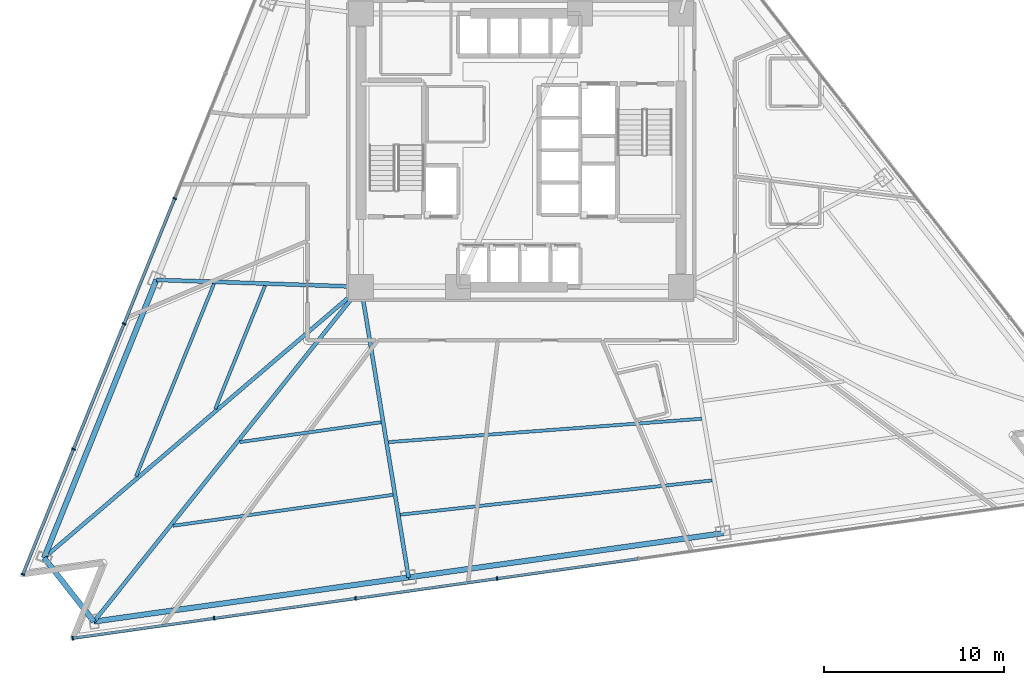
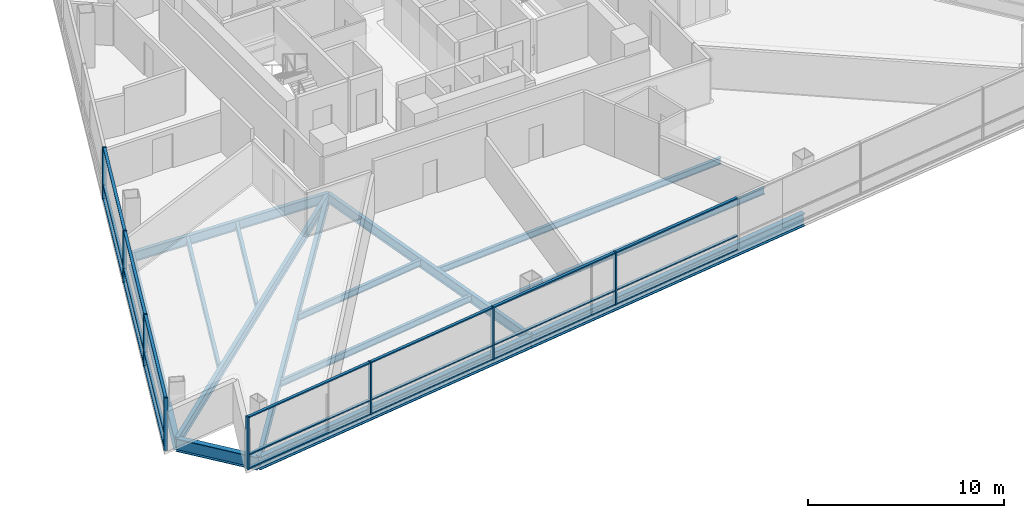
# One storey, part 2 of 15: 29 members, 14 beams, 2 elements without a shape of their own.
"""IFC4 building model written with IfcOpenShell, lengths in metres."""

from ifc_helpers import new_model, si_unit, direction, frame, origin, origin_2d, place, context, subcontext, project, spatial, rectangle, i_section, extrude, material, layer, layer_set, material_profile, profile_set, type_object, element, aggregate, save


model = new_model("IFC4")

# Units and contexts
model_context = context("Model", 3, precision=1e-05, world=origin(), true_north=direction((0.0, 1.0)))
body_context = subcontext(model_context, "Body", "Model", "MODEL_VIEW")
ifc_project = project(units=[si_unit("LENGTHUNIT", "METRE"), si_unit("AREAUNIT", "SQUARE_METRE"), si_unit("VOLUMEUNIT", "CUBIC_METRE"), si_unit("PLANEANGLEUNIT", "RADIAN"), si_unit("MASSUNIT", "GRAM", prefix="KILO")], contexts=[model_context])

# Site, building, storey
site_placement = place(None, origin())
site = spatial("IfcSite", under=ifc_project, at=site_placement, CompositionType="ELEMENT")
building_placement = place(site_placement, origin())
building = spatial("IfcBuilding", under=site, at=building_placement, Name="Tharavind Bronze Gate", CompositionType="ELEMENT")
storey_placement = place(building_placement, frame((0.0, 0.0, 74.199951171875)))
storey = spatial("IfcBuildingStorey", under=building, at=storey_placement, Name="L18", CompositionType="ELEMENT", Elevation=74.199951171875)

# Curtain wall, members
ifc_material_1 = material(Name="Anodised Bronze Aluminium", Category="aluminium")
ifc_layer = layer(ifc_material_1, 0.219970703125)
ifc_layer_set = layer_set([ifc_layer], Name="Anodised Bronze Aluminium")
curtain_wall_type = type_object("IfcCurtainWallType", Name="UNITISED CURTAIN WALL HOTEL", PredefinedType="USERDEFINED", material=ifc_layer_set)
curtain_wall_1_placement = place(storey_placement, origin())
curtain_wall_1 = element("IfcCurtainWall", 1, at=curtain_wall_1_placement, inside=storey, type_object=curtain_wall_type, Name="L18 unitised curtain wall hotel CW-L18-S1", ObjectType="UNITISED CURTAIN WALL", PredefinedType="USERDEFINED")
member_type_1 = type_object("IfcMemberType", Name="CURTAIN WALL MULLION 80X220", PredefinedType="MULLION", material=ifc_material_1)
member_1_placement = place(storey_placement, frame((-19.261474609375, -2.688232421875, 0.0), z_axis=(0.0, 0.0, 1.0), x_axis=(-0.374606593416, -0.927183854567, 0.0)))
member_1 = element("IfcMember", 2, at=member_1_placement, type_object=member_type_1, Name="CW-L18-S1 mullion 5", PredefinedType="MULLION", context=body_context, shape_type="SweptSolid", body=[
    extrude(rectangle(XDim=0.080078125, YDim=0.219970703125, at=origin_2d()), origin(), (0.0, 0.0, 1.0), 3.27490234375),
])
member_2_placement = place(storey_placement, frame((-22.07666015625, -9.65625, 0.0), z_axis=(0.0, 0.0, 1.0), x_axis=(-0.374606593416, -0.927183854567, 0.0)))
member_2 = element("IfcMember", 3, at=member_2_placement, type_object=member_type_1, Name="CW-L18-S1 mullion 6", PredefinedType="MULLION", context=body_context, shape_type="SweptSolid", body=[
    extrude(rectangle(XDim=0.080078125, YDim=0.219970703125, at=origin_2d()), origin(), (0.0, 0.0, 1.0), 3.27490234375),
])
member_3_placement = place(storey_placement, frame((-24.891845703125, -16.6240234375, 0.0), z_axis=(0.0, 0.0, 1.0), x_axis=(-0.374606593416, -0.927183854567, 0.0)))
member_3 = element("IfcMember", 4, at=member_3_placement, type_object=member_type_1, Name="CW-L18-S1 mullion 7", PredefinedType="MULLION", context=body_context, shape_type="SweptSolid", body=[
    extrude(rectangle(XDim=0.080078125, YDim=0.219970703125, at=origin_2d()), origin(), (0.0, 0.0, 1.0), 3.27490234375),
])
member_4_placement = place(storey_placement, frame((-27.70703125, -23.591796875, 0.0), z_axis=(0.0, 0.0, 1.0), x_axis=(-0.374606593416, -0.927183854567, 0.0)))
member_4 = element("IfcMember", 5, at=member_4_placement, type_object=member_type_1, Name="CW-L18-S1 mullion 8", PredefinedType="MULLION", context=body_context, shape_type="SweptSolid", body=[
    extrude(rectangle(XDim=0.080078125, YDim=0.219970703125, at=origin_2d()), origin(), (0.0, 0.0, 1.0), 3.27490234375),
])

curtain_wall_2_placement = place(storey_placement, origin())
curtain_wall_2 = element("IfcCurtainWall", 6, at=curtain_wall_2_placement, inside=storey, type_object=curtain_wall_type, Name="L18 unitised curtain wall hotel CW-L18-S2", ObjectType="UNITISED CURTAIN WALL", PredefinedType="USERDEFINED")
member_5_placement = place(storey_placement, frame((-24.9365234375, -27.137939453125, 0.0), z_axis=(0.0, 0.0, 1.0), x_axis=(0.990268068742, 0.13917310096, 0.0)))
member_5 = element("IfcMember", 7, at=member_5_placement, type_object=member_type_1, Name="CW-L18-S2 mullion 1", PredefinedType="MULLION", context=body_context, shape_type="SweptSolid", body=[
    extrude(rectangle(XDim=0.080078125, YDim=0.219970703125, at=origin_2d()), origin(), (0.0, 0.0, 1.0), 3.27490234375),
])
member_6_placement = place(storey_placement, frame((-17.0703125, -26.032470703125, 0.0), z_axis=(0.0, 0.0, 1.0), x_axis=(0.990268068742, 0.13917310096, 0.0)))
member_6 = element("IfcMember", 8, at=member_6_placement, type_object=member_type_1, Name="CW-L18-S2 mullion 2", PredefinedType="MULLION", context=body_context, shape_type="SweptSolid", body=[
    extrude(rectangle(XDim=0.080078125, YDim=0.219970703125, at=origin_2d()), origin(), (0.0, 0.0, 1.0), 3.27490234375),
])
member_7_placement = place(storey_placement, frame((-9.203857421875, -24.9267578125, 0.0), z_axis=(0.0, 0.0, 1.0), x_axis=(0.990268068742, 0.13917310096, 0.0)))
member_7 = element("IfcMember", 9, at=member_7_placement, type_object=member_type_1, Name="CW-L18-S2 mullion 3", PredefinedType="MULLION", context=body_context, shape_type="SweptSolid", body=[
    extrude(rectangle(XDim=0.080078125, YDim=0.219970703125, at=origin_2d()), origin(), (0.0, 0.0, 1.0), 3.27490234375),
])
member_8_placement = place(storey_placement, frame((-1.337646484375, -23.8212890625, 0.0), z_axis=(0.0, 0.0, 1.0), x_axis=(0.990268068742, 0.13917310096, 0.0)))
member_8 = element("IfcMember", 10, at=member_8_placement, type_object=member_type_1, Name="CW-L18-S2 mullion 4", PredefinedType="MULLION", context=body_context, shape_type="SweptSolid", body=[
    extrude(rectangle(XDim=0.080078125, YDim=0.219970703125, at=origin_2d()), origin(), (0.0, 0.0, 1.0), 3.27490234375),
])

# Member
member_type_2 = type_object("IfcMemberType", Name="CURTAIN WALL TRANSOM 80X160", PredefinedType="USERDEFINED", material=ifc_material_1)
member_9_placement = place(storey_placement, frame((-20.669189453125, -6.17236328125, 0.0), z_axis=(0.0, 0.0, 1.0), x_axis=(-0.374606593416, -0.927183854567, 0.0)))
member_9 = element("IfcMember", 11, at=member_9_placement, type_object=member_type_2, Name="CW-L18-S1 transom TB5", ObjectType="TRANSOM", PredefinedType="USERDEFINED", context=body_context, shape_type="SweptSolid", body=[
    extrude(rectangle(XDim=7.447021484375, YDim=0.159912109375, at=origin_2d()), origin(), (0.0, 0.0, 1.0), 0.080078125),
])

member_10_placement = place(storey_placement, frame((-20.669189453125, -6.17236328125, 0.860107421875), z_axis=(0.0, 0.0, 1.0), x_axis=(-0.374606593416, -0.927183854567, 0.0)))
member_10 = element("IfcMember", 12, at=member_10_placement, type_object=member_type_2, Name="CW-L18-S1 transom TS5", ObjectType="TRANSOM", PredefinedType="USERDEFINED", context=body_context, shape_type="SweptSolid", body=[
    extrude(rectangle(XDim=7.447021484375, YDim=0.159912109375, at=origin_2d()), origin(), (0.0, 0.0, 1.0), 0.080078125),
])

member_11_placement = place(storey_placement, frame((-20.669189453125, -6.17236328125, 3.195068359375), z_axis=(0.0, 0.0, 1.0), x_axis=(-0.374606593416, -0.927183854567, 0.0)))
member_11 = element("IfcMember", 13, at=member_11_placement, type_object=member_type_2, Name="CW-L18-S1 transom TT5", ObjectType="TRANSOM", PredefinedType="USERDEFINED", context=body_context, shape_type="SweptSolid", body=[
    extrude(rectangle(XDim=7.447021484375, YDim=0.159912109375, at=origin_2d()), origin(), (0.0, 0.0, 1.0), 0.080078125),
])

member_12_placement = place(storey_placement, frame((-23.484375, -13.14013671875, 0.0), z_axis=(0.0, 0.0, 1.0), x_axis=(-0.374606593416, -0.927183854567, 0.0)))
member_12 = element("IfcMember", 14, at=member_12_placement, type_object=member_type_2, Name="CW-L18-S1 transom TB6", ObjectType="TRANSOM", PredefinedType="USERDEFINED", context=body_context, shape_type="SweptSolid", body=[
    extrude(rectangle(XDim=7.447021484375, YDim=0.159912109375, at=origin_2d()), origin(), (0.0, 0.0, 1.0), 0.080078125),
])

member_13_placement = place(storey_placement, frame((-23.484375, -13.14013671875, 0.860107421875), z_axis=(0.0, 0.0, 1.0), x_axis=(-0.374606593416, -0.927183854567, 0.0)))
member_13 = element("IfcMember", 15, at=member_13_placement, type_object=member_type_2, Name="CW-L18-S1 transom TS6", ObjectType="TRANSOM", PredefinedType="USERDEFINED", context=body_context, shape_type="SweptSolid", body=[
    extrude(rectangle(XDim=7.447021484375, YDim=0.159912109375, at=origin_2d()), origin(), (0.0, 0.0, 1.0), 0.080078125),
])

member_14_placement = place(storey_placement, frame((-23.484375, -13.14013671875, 3.195068359375), z_axis=(0.0, 0.0, 1.0), x_axis=(-0.374606593416, -0.927183854567, 0.0)))
member_14 = element("IfcMember", 16, at=member_14_placement, type_object=member_type_2, Name="CW-L18-S1 transom TT6", ObjectType="TRANSOM", PredefinedType="USERDEFINED", context=body_context, shape_type="SweptSolid", body=[
    extrude(rectangle(XDim=7.447021484375, YDim=0.159912109375, at=origin_2d()), origin(), (0.0, 0.0, 1.0), 0.080078125),
])

member_15_placement = place(storey_placement, frame((-26.299560546875, -20.10791015625, 0.0), z_axis=(0.0, 0.0, 1.0), x_axis=(-0.374606593416, -0.927183854567, 0.0)))
member_15 = element("IfcMember", 17, at=member_15_placement, type_object=member_type_2, Name="CW-L18-S1 transom TB7", ObjectType="TRANSOM", PredefinedType="USERDEFINED", context=body_context, shape_type="SweptSolid", body=[
    extrude(rectangle(XDim=7.447021484375, YDim=0.159912109375, at=origin_2d()), origin(), (0.0, 0.0, 1.0), 0.080078125),
])

member_16_placement = place(storey_placement, frame((-26.299560546875, -20.10791015625, 0.860107421875), z_axis=(0.0, 0.0, 1.0), x_axis=(-0.374606593416, -0.927183854567, 0.0)))
member_16 = element("IfcMember", 18, at=member_16_placement, type_object=member_type_2, Name="CW-L18-S1 transom TS7", ObjectType="TRANSOM", PredefinedType="USERDEFINED", context=body_context, shape_type="SweptSolid", body=[
    extrude(rectangle(XDim=7.447021484375, YDim=0.159912109375, at=origin_2d()), origin(), (0.0, 0.0, 1.0), 0.080078125),
])

member_17_placement = place(storey_placement, frame((-26.299560546875, -20.10791015625, 3.195068359375), z_axis=(0.0, 0.0, 1.0), x_axis=(-0.374606593416, -0.927183854567, 0.0)))
member_17 = element("IfcMember", 19, at=member_17_placement, type_object=member_type_2, Name="CW-L18-S1 transom TT7", ObjectType="TRANSOM", PredefinedType="USERDEFINED", context=body_context, shape_type="SweptSolid", body=[
    extrude(rectangle(XDim=7.447021484375, YDim=0.159912109375, at=origin_2d()), origin(), (0.0, 0.0, 1.0), 0.080078125),
])

aggregate(curtain_wall_1, [member_1, member_2, member_3, member_4, member_9, member_10, member_11, member_12, member_13, member_14, member_15, member_16, member_17])

member_18_placement = place(storey_placement, frame((-21.00341796875, -26.585205078125, 0.0), z_axis=(0.0, 0.0, 1.0), x_axis=(0.990268068742, 0.13917310096, 0.0)))
member_18 = element("IfcMember", 20, at=member_18_placement, type_object=member_type_2, Name="CW-L18-S2 transom TB1", ObjectType="TRANSOM", PredefinedType="USERDEFINED", context=body_context, shape_type="SweptSolid", body=[
    extrude(rectangle(XDim=7.87548828125, YDim=0.159912109375, at=origin_2d()), origin(), (0.0, 0.0, 1.0), 0.080078125),
])

member_19_placement = place(storey_placement, frame((-21.00341796875, -26.585205078125, 0.860107421875), z_axis=(0.0, 0.0, 1.0), x_axis=(0.990268068742, 0.13917310096, 0.0)))
member_19 = element("IfcMember", 21, at=member_19_placement, type_object=member_type_2, Name="CW-L18-S2 transom TS1", ObjectType="TRANSOM", PredefinedType="USERDEFINED", context=body_context, shape_type="SweptSolid", body=[
    extrude(rectangle(XDim=7.87548828125, YDim=0.159912109375, at=origin_2d()), origin(), (0.0, 0.0, 1.0), 0.080078125),
])

member_20_placement = place(storey_placement, frame((-21.00341796875, -26.585205078125, 3.195068359375), z_axis=(0.0, 0.0, 1.0), x_axis=(0.990268068742, 0.13917310096, 0.0)))
member_20 = element("IfcMember", 22, at=member_20_placement, type_object=member_type_2, Name="CW-L18-S2 transom TT1", ObjectType="TRANSOM", PredefinedType="USERDEFINED", context=body_context, shape_type="SweptSolid", body=[
    extrude(rectangle(XDim=7.87548828125, YDim=0.159912109375, at=origin_2d()), origin(), (0.0, 0.0, 1.0), 0.080078125),
])

member_21_placement = place(storey_placement, frame((-13.13720703125, -25.4794921875, 0.0), z_axis=(0.0, 0.0, 1.0), x_axis=(0.990268068742, 0.13917310096, 0.0)))
member_21 = element("IfcMember", 23, at=member_21_placement, type_object=member_type_2, Name="CW-L18-S2 transom TB2", ObjectType="TRANSOM", PredefinedType="USERDEFINED", context=body_context, shape_type="SweptSolid", body=[
    extrude(rectangle(XDim=7.87548828125, YDim=0.159912109375, at=origin_2d()), origin(), (0.0, 0.0, 1.0), 0.080078125),
])

member_22_placement = place(storey_placement, frame((-13.13720703125, -25.4794921875, 0.860107421875), z_axis=(0.0, 0.0, 1.0), x_axis=(0.990268068742, 0.13917310096, 0.0)))
member_22 = element("IfcMember", 24, at=member_22_placement, type_object=member_type_2, Name="CW-L18-S2 transom TS2", ObjectType="TRANSOM", PredefinedType="USERDEFINED", context=body_context, shape_type="SweptSolid", body=[
    extrude(rectangle(XDim=7.87548828125, YDim=0.159912109375, at=origin_2d()), origin(), (0.0, 0.0, 1.0), 0.080078125),
])

member_23_placement = place(storey_placement, frame((-13.13720703125, -25.4794921875, 3.195068359375), z_axis=(0.0, 0.0, 1.0), x_axis=(0.990268068742, 0.13917310096, 0.0)))
member_23 = element("IfcMember", 25, at=member_23_placement, type_object=member_type_2, Name="CW-L18-S2 transom TT2", ObjectType="TRANSOM", PredefinedType="USERDEFINED", context=body_context, shape_type="SweptSolid", body=[
    extrude(rectangle(XDim=7.87548828125, YDim=0.159912109375, at=origin_2d()), origin(), (0.0, 0.0, 1.0), 0.080078125),
])

member_24_placement = place(storey_placement, frame((-5.270751953125, -24.3740234375, 0.0), z_axis=(0.0, 0.0, 1.0), x_axis=(0.990268068742, 0.13917310096, 0.0)))
member_24 = element("IfcMember", 26, at=member_24_placement, type_object=member_type_2, Name="CW-L18-S2 transom TB3", ObjectType="TRANSOM", PredefinedType="USERDEFINED", context=body_context, shape_type="SweptSolid", body=[
    extrude(rectangle(XDim=7.87548828125, YDim=0.159912109375, at=origin_2d()), origin(), (0.0, 0.0, 1.0), 0.080078125),
])

member_25_placement = place(storey_placement, frame((-5.270751953125, -24.3740234375, 0.860107421875), z_axis=(0.0, 0.0, 1.0), x_axis=(0.990268068742, 0.13917310096, 0.0)))
member_25 = element("IfcMember", 27, at=member_25_placement, type_object=member_type_2, Name="CW-L18-S2 transom TS3", ObjectType="TRANSOM", PredefinedType="USERDEFINED", context=body_context, shape_type="SweptSolid", body=[
    extrude(rectangle(XDim=7.87548828125, YDim=0.159912109375, at=origin_2d()), origin(), (0.0, 0.0, 1.0), 0.080078125),
])

member_26_placement = place(storey_placement, frame((-5.270751953125, -24.3740234375, 3.195068359375), z_axis=(0.0, 0.0, 1.0), x_axis=(0.990268068742, 0.13917310096, 0.0)))
member_26 = element("IfcMember", 28, at=member_26_placement, type_object=member_type_2, Name="CW-L18-S2 transom TT3", ObjectType="TRANSOM", PredefinedType="USERDEFINED", context=body_context, shape_type="SweptSolid", body=[
    extrude(rectangle(XDim=7.87548828125, YDim=0.159912109375, at=origin_2d()), origin(), (0.0, 0.0, 1.0), 0.080078125),
])

member_27_placement = place(storey_placement, frame((2.595703125, -23.2685546875, 0.0), z_axis=(0.0, 0.0, 1.0), x_axis=(0.990268068742, 0.13917310096, 0.0)))
member_27 = element("IfcMember", 29, at=member_27_placement, type_object=member_type_2, Name="CW-L18-S2 transom TB4", ObjectType="TRANSOM", PredefinedType="USERDEFINED", context=body_context, shape_type="SweptSolid", body=[
    extrude(rectangle(XDim=7.87548828125, YDim=0.159912109375, at=origin_2d()), origin(), (0.0, 0.0, 1.0), 0.080078125),
])

member_28_placement = place(storey_placement, frame((2.595703125, -23.2685546875, 0.860107421875), z_axis=(0.0, 0.0, 1.0), x_axis=(0.990268068742, 0.13917310096, 0.0)))
member_28 = element("IfcMember", 30, at=member_28_placement, type_object=member_type_2, Name="CW-L18-S2 transom TS4", ObjectType="TRANSOM", PredefinedType="USERDEFINED", context=body_context, shape_type="SweptSolid", body=[
    extrude(rectangle(XDim=7.87548828125, YDim=0.159912109375, at=origin_2d()), origin(), (0.0, 0.0, 1.0), 0.080078125),
])

member_29_placement = place(storey_placement, frame((2.595703125, -23.2685546875, 3.195068359375), z_axis=(0.0, 0.0, 1.0), x_axis=(0.990268068742, 0.13917310096, 0.0)))
member_29 = element("IfcMember", 31, at=member_29_placement, type_object=member_type_2, Name="CW-L18-S2 transom TT4", ObjectType="TRANSOM", PredefinedType="USERDEFINED", context=body_context, shape_type="SweptSolid", body=[
    extrude(rectangle(XDim=7.87548828125, YDim=0.159912109375, at=origin_2d()), origin(), (0.0, 0.0, 1.0), 0.080078125),
])

aggregate(curtain_wall_2, [member_5, member_6, member_7, member_8, member_18, member_19, member_20, member_21, member_22, member_23, member_24, member_25, member_26, member_27, member_28, member_29])

# Beams
ifc_material_2 = material(Name="Steel S355", Category="steel")
ifc_material_profile_1 = material_profile(ifc_material_2, i_section(OverallWidth=0.219970703125, OverallDepth=0.60009765625, WebThickness=0.011962890625, FlangeThickness=0.01904296875, at=origin_2d()), Name="IPE600")
ifc_profile_set_1 = profile_set([ifc_material_profile_1], Name="Steel S355")
beam_type_1 = type_object("IfcBeamType", Name="PRIMARY GIRDER IPE600", PredefinedType="USERDEFINED", material=ifc_profile_set_1)
beam_1_placement = place(storey_placement, frame((-20.28076171875, -7.212890625, -0.474853515625), z_axis=(0.999421731514, -0.034002978938, 0.0), x_axis=(0.034002978938, 0.999421731514, 0.0)))
element("IfcBeam", 32, at=beam_1_placement, inside=storey, type_object=beam_type_1, Name="L18 primary girder ipe600 BM-L18-RAD03", ObjectType="GIRDER", PredefinedType="USERDEFINED", context=body_context, shape_type="SweptSolid", body=[
    extrude(i_section(OverallWidth=0.219970703125, OverallDepth=0.60009765625, WebThickness=0.011962890625, FlangeThickness=0.01904296875, at=origin_2d()), origin(), (0.0, 0.0, 1.0), 11.387451171875),
])
beam_2_placement = place(storey_placement, frame((-26.525146484375, -22.66845703125, -0.474853515625), z_axis=(0.760086871137, 0.649821474195, 0.0), x_axis=(-0.649821474195, 0.760086871137, 0.0)))
element("IfcBeam", 33, at=beam_2_placement, inside=storey, type_object=beam_type_1, Name="L18 primary girder ipe600 BM-L18-RAD04", ObjectType="GIRDER", PredefinedType="USERDEFINED", context=body_context, shape_type="SweptSolid", body=[
    extrude(i_section(OverallWidth=0.219970703125, OverallDepth=0.60009765625, WebThickness=0.011962890625, FlangeThickness=0.01904296875, at=origin_2d()), origin(), (0.0, 0.0, 1.0), 23.1884765625),
])
beam_3_placement = place(storey_placement, frame((-23.754638671875, -26.21435546875, -0.474853515625), z_axis=(0.623755703822, 0.781619358735, 0.0), x_axis=(-0.781619358735, 0.623755703822, 0.0)))
element("IfcBeam", 34, at=beam_3_placement, inside=storey, type_object=beam_type_1, Name="L18 primary girder ipe600 BM-L18-RAD05", ObjectType="GIRDER", PredefinedType="USERDEFINED", context=body_context, shape_type="SweptSolid", body=[
    extrude(i_section(OverallWidth=0.219970703125, OverallDepth=0.60009765625, WebThickness=0.011962890625, FlangeThickness=0.01904296875, at=origin_2d()), origin(), (0.0, 0.0, 1.0), 23.81494140625),
])
beam_4_placement = place(storey_placement, frame((-6.25732421875, -23.75537109375, -0.474853515625), z_axis=(-0.161428355107, 0.986884434049, 0.0), x_axis=(-0.986884434049, -0.161428355107, 0.0)))
element("IfcBeam", 35, at=beam_4_placement, inside=storey, type_object=beam_type_1, Name="L18 primary girder ipe600 BM-L18-RAD06", ObjectType="GIRDER", PredefinedType="USERDEFINED", context=body_context, shape_type="SweptSolid", body=[
    extrude(i_section(OverallWidth=0.219970703125, OverallDepth=0.60009765625, WebThickness=0.011962890625, FlangeThickness=0.01904296875, at=origin_2d()), origin(), (0.0, 0.0, 1.0), 16.369873046875),
])
ifc_material_profile_2 = material_profile(ifc_material_2, i_section(OverallWidth=0.300048828125, OverallDepth=0.800048828125, WebThickness=0.017578125, FlangeThickness=0.032958984375, at=origin_2d()), Name="HE800B")
ifc_profile_set_2 = profile_set([ifc_material_profile_2], Name="Steel S355")
beam_type_2 = type_object("IfcBeamType", Name="RING GIRDER HE800B", PredefinedType="USERDEFINED", material=ifc_profile_set_2)
beam_5_placement = place(storey_placement, frame((-20.28076171875, -7.212890625, -0.574951171875), z_axis=(-0.374603014443, -0.927185300557, 0.0), x_axis=(0.927185300557, -0.374603014443, 0.0)))
element("IfcBeam", 36, at=beam_5_placement, inside=storey, type_object=beam_type_2, Name="L18 ring girder he800b BM-L18-PRG03", ObjectType="GIRDER", PredefinedType="USERDEFINED", context=body_context, shape_type="SweptSolid", body=[
    extrude(i_section(OverallWidth=0.300048828125, OverallDepth=0.800048828125, WebThickness=0.017578125, FlangeThickness=0.032958984375, at=origin_2d()), origin(), (0.0, 0.0, 1.0), 16.66943359375),
])
beam_6_placement = place(storey_placement, frame((-26.525146484375, -22.66845703125, -0.574951171875), z_axis=(0.615681943852, -0.787994761413, 0.0), x_axis=(0.787994761413, 0.615681943852, 0.0)))
element("IfcBeam", 37, at=beam_6_placement, inside=storey, type_object=beam_type_2, Name="L18 ring girder he800b BM-L18-PRG04", ObjectType="GIRDER", PredefinedType="USERDEFINED", context=body_context, shape_type="SweptSolid", body=[
    extrude(i_section(OverallWidth=0.300048828125, OverallDepth=0.800048828125, WebThickness=0.017578125, FlangeThickness=0.032958984375, at=origin_2d()), origin(), (0.0, 0.0, 1.0), 4.5),
])
beam_7_placement = place(storey_placement, frame((-23.754638671875, -26.21435546875, -0.574951171875), z_axis=(0.990268870582, 0.13916739545, 0.0), x_axis=(-0.13916739545, 0.990268870582, 0.0)))
element("IfcBeam", 38, at=beam_7_placement, inside=storey, type_object=beam_type_2, Name="L18 ring girder he800b BM-L18-PRG05", ObjectType="GIRDER", PredefinedType="USERDEFINED", context=body_context, shape_type="SweptSolid", body=[
    extrude(i_section(OverallWidth=0.300048828125, OverallDepth=0.800048828125, WebThickness=0.017578125, FlangeThickness=0.032958984375, at=origin_2d()), origin(), (0.0, 0.0, 1.0), 17.669189453125),
])
beam_8_placement = place(storey_placement, frame((-6.25732421875, -23.75537109375, -0.574951171875), z_axis=(0.99026860297, 0.139169299675, 0.0), x_axis=(-0.139169299675, 0.99026860297, 0.0)))
element("IfcBeam", 39, at=beam_8_placement, inside=storey, type_object=beam_type_2, Name="L18 ring girder he800b BM-L18-PRG06", ObjectType="GIRDER", PredefinedType="USERDEFINED", context=body_context, shape_type="SweptSolid", body=[
    extrude(i_section(OverallWidth=0.300048828125, OverallDepth=0.800048828125, WebThickness=0.017578125, FlangeThickness=0.032958984375, at=origin_2d()), origin(), (0.0, 0.0, 1.0), 17.6689453125),
])
ifc_material_profile_3 = material_profile(ifc_material_2, i_section(OverallWidth=0.179931640625, OverallDepth=0.39990234375, WebThickness=0.008544921875, FlangeThickness=0.013427734375, at=origin_2d()), Name="IPE400")
ifc_profile_set_3 = profile_set([ifc_material_profile_3], Name="Steel S355")
beam_type_3 = type_object("IfcBeamType", Name="SECONDARY FLOOR JOIST IPE400", PredefinedType="JOIST", material=ifc_profile_set_3)
beam_9_placement = place(storey_placement, frame((-14.2373046875, -7.5322265625, -0.375), z_axis=(-0.37461330308, -0.927181143658, 0.0), x_axis=(0.927181143658, -0.37461330308, 0.0)))
element("IfcBeam", 40, at=beam_9_placement, inside=storey, type_object=beam_type_3, Name="L18 secondary floor joist ipe400 BM-L18-JSTA03", PredefinedType="JOIST", context=body_context, shape_type="SweptSolid", body=[
    extrude(i_section(OverallWidth=0.179931640625, OverallDepth=0.39990234375, WebThickness=0.008544921875, FlangeThickness=0.013427734375, at=origin_2d()), origin(), (0.0, 0.0, 1.0), 7.387939453125),
])
beam_10_placement = place(storey_placement, frame((-17.08251953125, -7.435546875, -0.375), z_axis=(-0.374608720943, -0.927182994987, 0.0), x_axis=(0.927182994987, -0.374608720943, 0.0)))
element("IfcBeam", 41, at=beam_10_placement, inside=storey, type_object=beam_type_3, Name="L18 secondary floor joist ipe400 BM-L18-JSTB03", PredefinedType="JOIST", context=body_context, shape_type="SweptSolid", body=[
    extrude(i_section(OverallWidth=0.179931640625, OverallDepth=0.39990234375, WebThickness=0.008544921875, FlangeThickness=0.013427734375, at=origin_2d()), origin(), (0.0, 0.0, 1.0), 11.554931640625),
])
beam_11_placement = place(storey_placement, frame((-15.64501953125, -16.23291015625, -0.375), z_axis=(0.990268635853, 0.139169065695, 0.0), x_axis=(-0.139169065695, 0.990268635853, 0.0)))
element("IfcBeam", 42, at=beam_11_placement, inside=storey, type_object=beam_type_3, Name="L18 secondary floor joist ipe400 BM-L18-JSTA05", PredefinedType="JOIST", context=body_context, shape_type="SweptSolid", body=[
    extrude(i_section(OverallWidth=0.179931640625, OverallDepth=0.39990234375, WebThickness=0.008544921875, FlangeThickness=0.013427734375, at=origin_2d()), origin(), (0.0, 0.0, 1.0), 7.93798828125),
])
beam_12_placement = place(storey_placement, frame((-19.358642578125, -20.886474609375, -0.375), z_axis=(0.990268624097, 0.139169149347, 0.0), x_axis=(-0.139169149347, 0.990268624097, 0.0)))
element("IfcBeam", 43, at=beam_12_placement, inside=storey, type_object=beam_type_3, Name="L18 secondary floor joist ipe400 BM-L18-JSTB05", PredefinedType="JOIST", context=body_context, shape_type="SweptSolid", body=[
    extrude(i_section(OverallWidth=0.179931640625, OverallDepth=0.39990234375, WebThickness=0.008544921875, FlangeThickness=0.013427734375, at=origin_2d()), origin(), (0.0, 0.0, 1.0), 12.355224609375),
])
beam_13_placement = place(storey_placement, frame((-7.3720703125, -16.234619140625, -0.375), z_axis=(0.997229733674, 0.074383185436, 0.0), x_axis=(-0.074383185436, 0.997229733674, 0.0)))
element("IfcBeam", 44, at=beam_13_placement, inside=storey, type_object=beam_type_3, Name="L18 secondary floor joist ipe400 BM-L18-JSTA06", PredefinedType="JOIST", context=body_context, shape_type="SweptSolid", body=[
    extrude(i_section(OverallWidth=0.179931640625, OverallDepth=0.39990234375, WebThickness=0.008544921875, FlangeThickness=0.013427734375, at=origin_2d()), origin(), (0.0, 0.0, 1.0), 17.4580078125),
])
beam_14_placement = place(storey_placement, frame((-6.712158203125, -20.269287109375, -0.375), z_axis=(0.99401448474, 0.109248359842, 0.0), x_axis=(-0.109248359842, 0.99401448474, 0.0)))
element("IfcBeam", 45, at=beam_14_placement, inside=storey, type_object=beam_type_3, Name="L18 secondary floor joist ipe400 BM-L18-JSTB06", PredefinedType="JOIST", context=body_context, shape_type="SweptSolid", body=[
    extrude(i_section(OverallWidth=0.179931640625, OverallDepth=0.39990234375, WebThickness=0.008544921875, FlangeThickness=0.013427734375, at=origin_2d()), origin(), (0.0, 0.0, 1.0), 17.43994140625),
])

save(model, "model.ifc")
